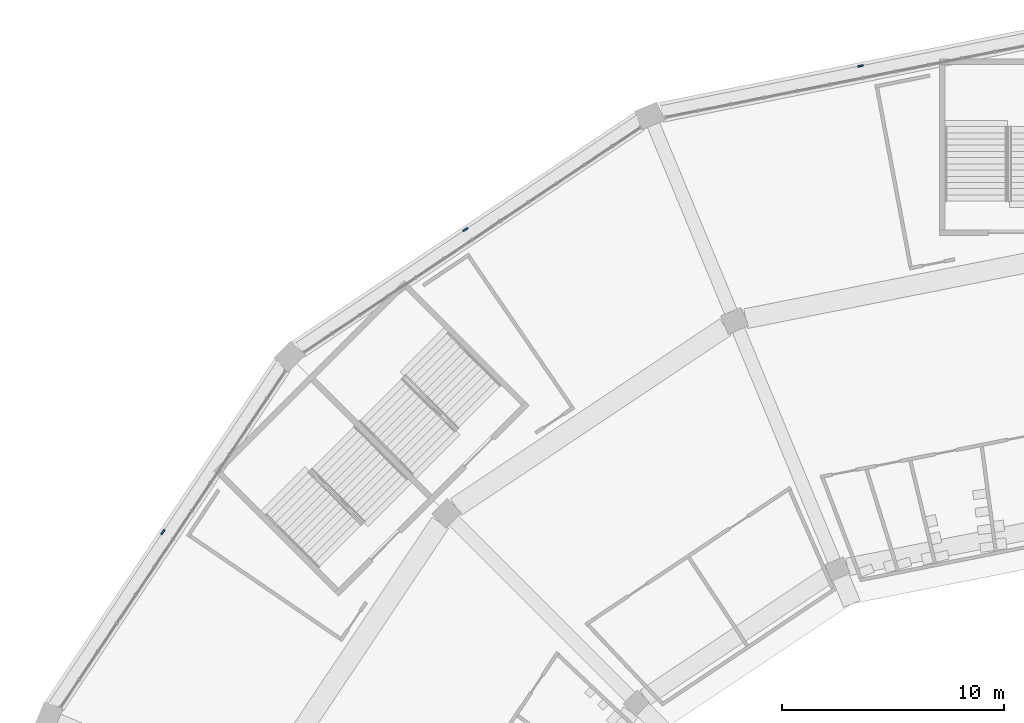
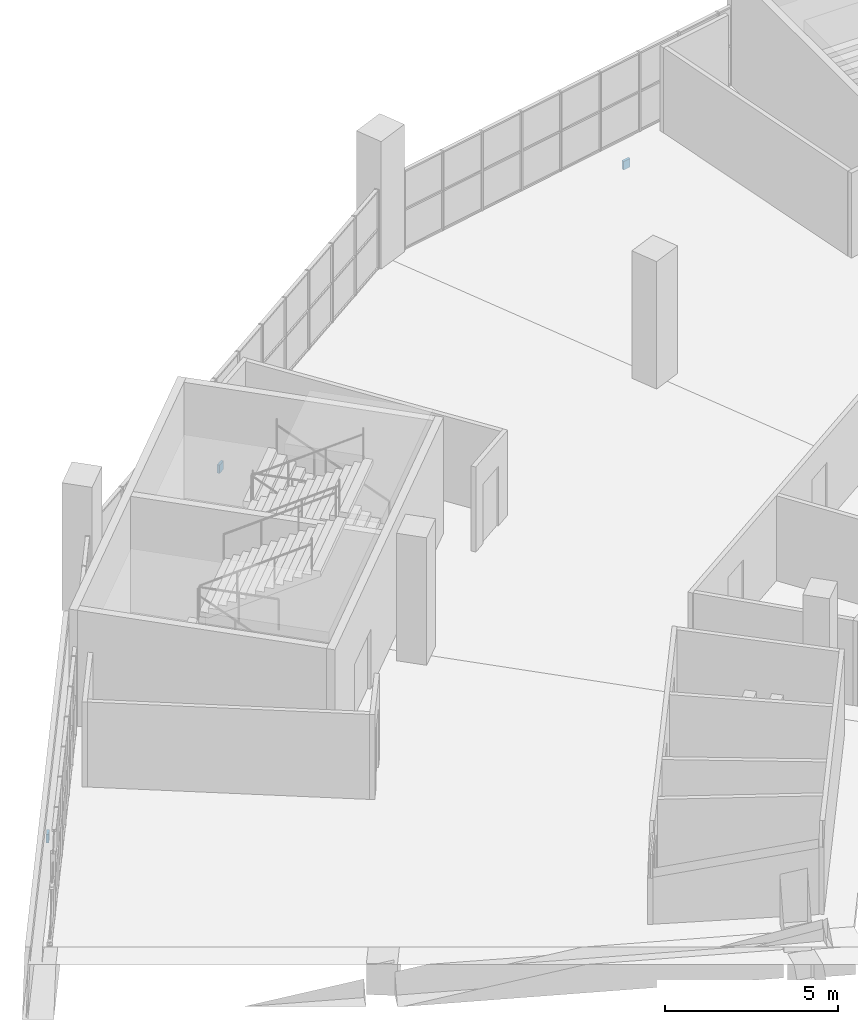
# One storey, part 100 of 199: 3 discrete accessories.
"""IFC4 building model written with IfcOpenShell, lengths in metres."""

from ifc_helpers import new_model, si_unit, direction, frame, origin, origin_2d, place, context, subcontext, project, spatial, rectangle, extrude, material, layer, layer_set, type_object, element, save


model = new_model("IFC4")

# Units and contexts
model_context = context("Model", 3, precision=1e-05, world=origin(), true_north=direction((0.0, 1.0)))
body_context = subcontext(model_context, "Body", "Model", "MODEL_VIEW")
ifc_project = project(units=[si_unit("LENGTHUNIT", "METRE"), si_unit("AREAUNIT", "SQUARE_METRE"), si_unit("VOLUMEUNIT", "CUBIC_METRE"), si_unit("PLANEANGLEUNIT", "RADIAN"), si_unit("MASSUNIT", "GRAM", prefix="KILO")], contexts=[model_context])

# Site, building, storey
site_placement = place(None, origin())
site = spatial("IfcSite", under=ifc_project, at=site_placement, CompositionType="ELEMENT")
building_placement = place(site_placement, origin())
building = spatial("IfcBuilding", under=site, at=building_placement, Name="Ogive Plaza Stadium", CompositionType="ELEMENT")
storey_placement = place(building_placement, frame((0.0, 0.0, 4.5)))
storey = spatial("IfcBuildingStorey", under=building, at=storey_placement, Name="L01", CompositionType="ELEMENT", Elevation=4.5)

# Discrete accessories
ifc_material = material(Name="Steel ASTM A572 Grade 50", Category="steel")
ifc_layer = layer(ifc_material, 0.080078125)
ifc_layer_set = layer_set([ifc_layer], Name="Steel ASTM A572 Grade 50")
discrete_accessory_type = type_object("IfcDiscreteAccessoryType", Name="Spandrel cladding bracket 250x300", PredefinedType="BRACKET", material=ifc_layer_set)
for number, where, z_axis, x_axis, name in (
    (1, (-75.065673828125, 79.939208984375, -1.60986328125), (0.0, 0.0, 1.0), (0.555570233005, 0.831469612312, 0.0), "SPANDREL BRACKET B29 L01"),
    (2, (-61.439208984375, 93.565673828125, -1.60986328125), (0.0, 0.0, 1.0), (0.831469612312, 0.555570233005, 0.0), "SPANDREL BRACKET B30 L01"),
    (3, (-43.635498046875, 100.940185546875, -1.60986328125), (0.0, 0.0, 1.0), (0.980785280403, 0.195090322016, 0.0), "SPANDREL BRACKET B31 L01"),
):
    element("IfcDiscreteAccessory", number, at=place(storey_placement, frame(where, z_axis=z_axis, x_axis=x_axis)), inside=storey, type_object=discrete_accessory_type, Name=name, PredefinedType="BRACKET", context=body_context, shape_type="SweptSolid", body=[
        extrude(rectangle(XDim=0.25, YDim=0.080078125, at=origin_2d()), origin(), (0.0, 0.0, 1.0), 0.300048828125),
    ])

save(model, "model.ifc")
